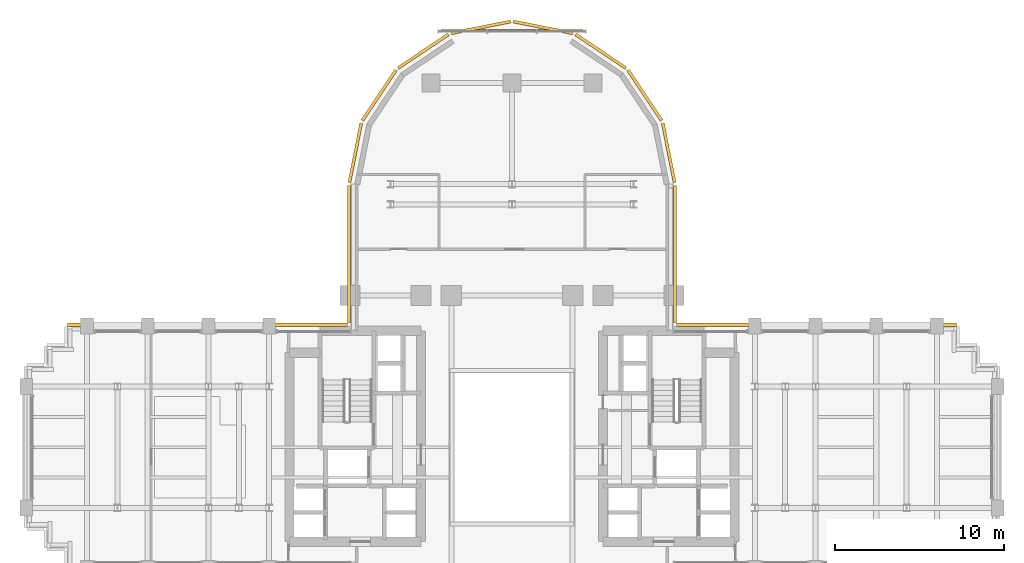
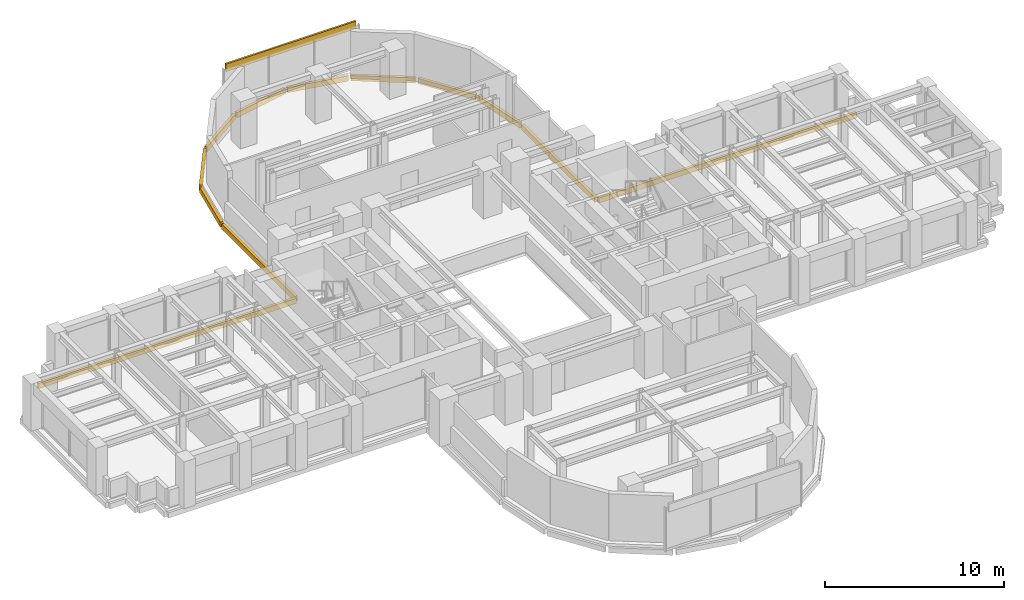
# One storey, part 16 of 16: 13 coverings.
"""IFC4 building model written with IfcOpenShell, lengths in metres."""

from ifc_helpers import new_model, si_unit, direction, frame, origin, origin_2d, place, context, subcontext, project, spatial, rectangle, extrude, source, transform, mapped, material, layer, layer_set, type_object, element, save


model = new_model("IFC4")

# Units and contexts
model_context = context("Model", 3, precision=1e-05, world=origin(), true_north=direction((0.0, 1.0)))
body_context = subcontext(model_context, "Body", "Model", "MODEL_VIEW")
ifc_project = project(units=[si_unit("LENGTHUNIT", "METRE"), si_unit("AREAUNIT", "SQUARE_METRE"), si_unit("VOLUMEUNIT", "CUBIC_METRE"), si_unit("PLANEANGLEUNIT", "RADIAN"), si_unit("MASSUNIT", "GRAM", prefix="KILO")], contexts=[model_context])

# Site, building, storey
site_placement = place(None, origin())
site = spatial("IfcSite", under=ifc_project, at=site_placement, CompositionType="ELEMENT")
building_placement = place(site_placement, origin())
building = spatial("IfcBuilding", under=site, at=building_placement, Name="Keilestroom Media Tower", CompositionType="ELEMENT")
storey_placement = place(building_placement, frame((0.0, 0.0, 61.199951171875)))
storey = spatial("IfcBuildingStorey", under=building, at=storey_placement, Name="L15", CompositionType="ELEMENT", Elevation=61.199951171875)

# Coverings
ifc_material = material(Name="Precast concrete C40/50", Category="concrete")
ifc_layer = layer(ifc_material, 0.1201171875)
ifc_layer_set = layer_set([ifc_layer], Name="Precast concrete C40/50")
covering_type = type_object("IfcCoveringType", Name="Exterior-Precast-Spandrel-Cladding-Panel-120", PredefinedType="CLADDING", material=ifc_layer_set)
shared_shape_1 = source(origin(), body_context, "Body", "SweptSolid", [
    extrude(rectangle(XDim=8.39990234375, YDim=0.1201171875, at=origin_2d()), origin(), (0.0, 0.0, 1.0), 0.52001953125),
])
covering_placement = place(storey_placement, frame((0.0, 24.719970703125, 2.68994140625), z_axis=(0.0, 0.0, 1.0), x_axis=(1.0, 0.0, 0.0)))
element("IfcCovering", 1, at=covering_placement, inside=storey, type_object=covering_type, Name="L15 Precast Spandrel Cladding N", PredefinedType="CLADDING", context=body_context, shape_type="MappedRepresentation", body=[
    mapped(shared_shape_1, transform((0.0, 0.0, 0.0), x_axis=(1.0, 0.0, 0.0), y_axis=(0.0, 1.0, 0.0), z_axis=(0.0, 0.0, 1.0), scale=1.0)),
])
shared_shape_2 = source(origin(), body_context, "Body", "SweptSolid", [
    extrude(rectangle(XDim=16.6201171875, YDim=0.179931640625, at=origin_2d()), origin(), (0.0, 0.0, 1.0), 0.360107421875),
])
for number, where, z_axis, x_axis, name in (
    (2, (-18.06005859375, 7.260009765625, -0.5400390625), (0.0, 0.0, 1.0), (1.0, 0.0, 0.0), "L15 Precast Slab-Edge Fascia Cornice 26"),
    (3, (18.06005859375, 7.260009765625, -0.5400390625), (0.0, 0.0, 1.0), (1.0, 0.0, 0.0), "L15 Precast Slab-Edge Fascia Cornice 37"),
):
    element("IfcCovering", number, at=place(storey_placement, frame(where, z_axis=z_axis, x_axis=x_axis)), inside=storey, type_object=covering_type, Name=name, PredefinedType="CLADDING", context=body_context, shape_type="MappedRepresentation", body=[
        mapped(shared_shape_2, transform((0.0, 0.0, 0.0), x_axis=(1.0, 0.0, 0.0), y_axis=(0.0, 1.0, 0.0), z_axis=(0.0, 0.0, 1.0), scale=1.0)),
    ])
shared_shape_3 = source(origin(), body_context, "Body", "SweptSolid", [
    extrude(rectangle(XDim=8.166015625, YDim=0.179931640625, at=origin_2d()), origin(), (0.0, 0.0, 1.0), 0.360107421875),
])
for number, where, z_axis, x_axis, name in (
    (4, (-9.659912109375, 11.43310546875, -0.5400390625), (0.0, 0.0, 1.0), (0.0, 1.0, 0.0), "L15 Precast Slab-Edge Fascia Cornice 27"),
    (5, (9.659912109375, 11.43310546875, -0.5400390625), (0.0, 0.0, 1.0), (0.0, -1.0, 0.0), "L15 Precast Slab-Edge Fascia Cornice 36"),
):
    element("IfcCovering", number, at=place(storey_placement, frame(where, z_axis=z_axis, x_axis=x_axis)), inside=storey, type_object=covering_type, Name=name, PredefinedType="CLADDING", context=body_context, shape_type="MappedRepresentation", body=[
        mapped(shared_shape_3, transform((0.0, 0.0, 0.0), x_axis=(1.0, 0.0, 0.0), y_axis=(0.0, 1.0, 0.0), z_axis=(0.0, 0.0, 1.0), scale=1.0)),
    ])
shared_shape_4 = source(origin(), body_context, "Body", "SweptSolid", [
    extrude(rectangle(XDim=3.58349609375, YDim=0.179931640625, at=origin_2d()), origin(), (0.0, 0.0, 1.0), 0.360107421875),
])
for number, where, z_axis, x_axis, name in (
    (6, (-9.29296875, 17.45166015625, -0.5400390625), (0.0, 0.0, 1.0), (0.195098880975, 0.980783577882, 0.0), "L15 Precast Slab-Edge Fascia Cornice 28"),
    (7, (9.29296875, 17.45166015625, -0.5400390625), (0.0, 0.0, 1.0), (0.195098880975, -0.980783577882, 0.0), "L15 Precast Slab-Edge Fascia Cornice 35"),
):
    element("IfcCovering", number, at=place(storey_placement, frame(where, z_axis=z_axis, x_axis=x_axis)), inside=storey, type_object=covering_type, Name=name, PredefinedType="CLADDING", context=body_context, shape_type="MappedRepresentation", body=[
        mapped(shared_shape_4, transform((0.0, 0.0, 0.0), x_axis=(1.0, 0.0, 0.0), y_axis=(0.0, 1.0, 0.0), z_axis=(0.0, 0.0, 1.0), scale=1.0)),
    ])
shared_shape_5 = source(origin(), body_context, "Body", "SweptSolid", [
    extrude(rectangle(XDim=3.589599609375, YDim=0.179931640625, at=origin_2d()), origin(), (0.0, 0.0, 1.0), 0.360107421875),
])
for number, where, z_axis, x_axis, name in (
    (8, (-7.878662109375, 20.8642578125, -0.5400390625), (0.0, 0.0, 1.0), (0.555574586577, 0.831466703332, 0.0), "L15 Precast Slab-Edge Fascia Cornice 29"),
    (9, (-5.264404296875, 23.478515625, -0.5400390625), (0.0, 0.0, 1.0), (0.831466703332, 0.555574586577, 0.0), "L15 Precast Slab-Edge Fascia Cornice 30"),
    (10, (-1.8486328125, 24.893310546875, -0.5400390625), (0.0, 0.0, 1.0), (0.980783577882, 0.195098880975, 0.0), "L15 Precast Slab-Edge Fascia Cornice 31"),
    (11, (1.8486328125, 24.893310546875, -0.5400390625), (0.0, 0.0, 1.0), (0.980783577882, -0.195098880975, 0.0), "L15 Precast Slab-Edge Fascia Cornice 32"),
    (12, (5.264404296875, 23.478515625, -0.5400390625), (0.0, 0.0, 1.0), (0.831466703332, -0.555574586577, 0.0), "L15 Precast Slab-Edge Fascia Cornice 33"),
    (13, (7.878662109375, 20.8642578125, -0.5400390625), (0.0, 0.0, 1.0), (0.555574586577, -0.831466703332, 0.0), "L15 Precast Slab-Edge Fascia Cornice 34"),
):
    element("IfcCovering", number, at=place(storey_placement, frame(where, z_axis=z_axis, x_axis=x_axis)), inside=storey, type_object=covering_type, Name=name, PredefinedType="CLADDING", context=body_context, shape_type="MappedRepresentation", body=[
        mapped(shared_shape_5, transform((0.0, 0.0, 0.0), x_axis=(1.0, 0.0, 0.0), y_axis=(0.0, 1.0, 0.0), z_axis=(0.0, 0.0, 1.0), scale=1.0)),
    ])

save(model, "model.ifc")
